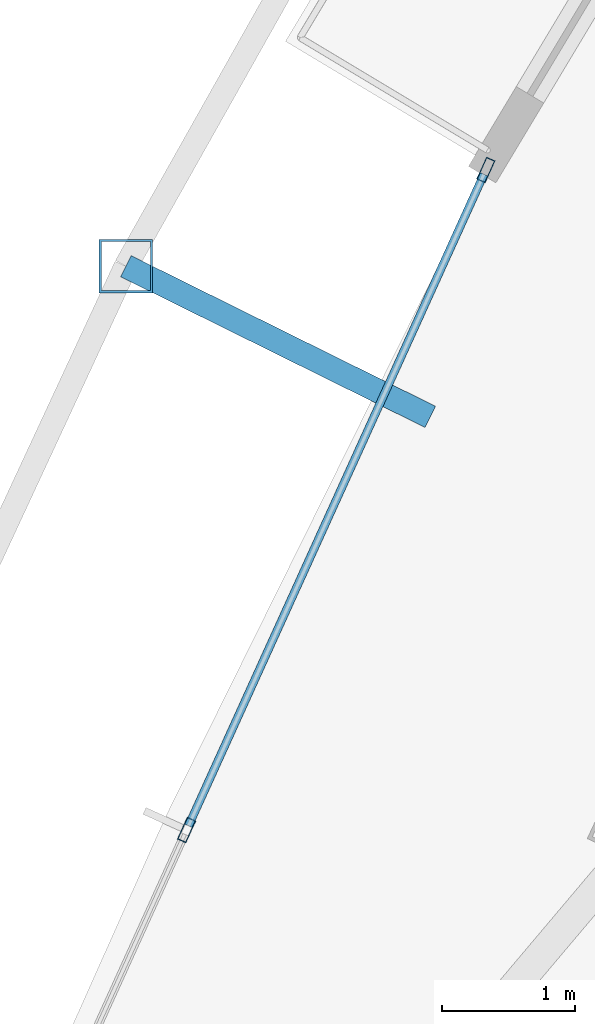
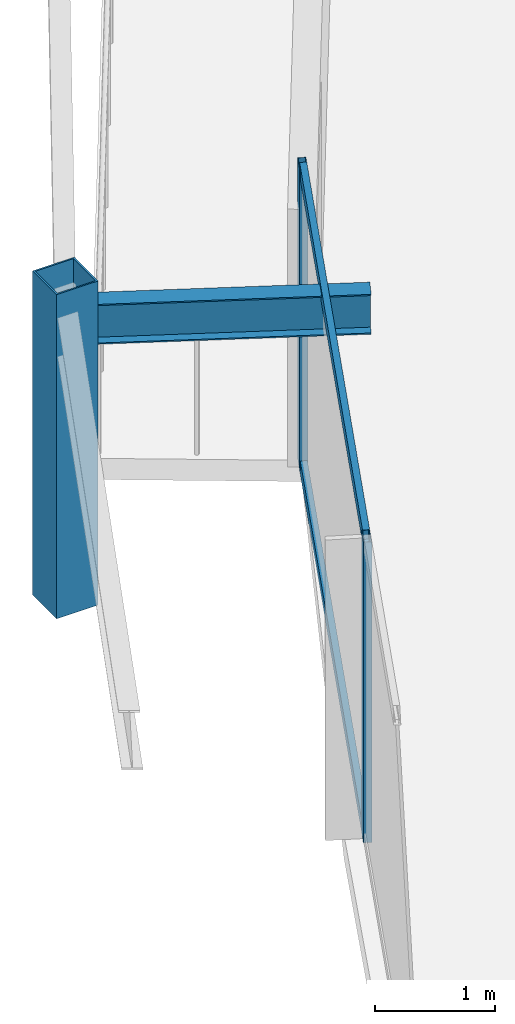
# One storey, part 10 of 29: 5 members, 1 beam, 1 element without a shape of its own.
"""IFC4 building model written with IfcOpenShell, lengths in metres."""

from ifc_helpers import new_model, si_unit, direction, frame, origin, origin_2d, place, context, subcontext, project, spatial, hollow_rectangle, i_section, extrude, material, layer, layer_set, material_profile, profile_set, type_object, element, aggregate, save


model = new_model("IFC4")

# Units and contexts
model_context = context("Model", 3, precision=1e-05, world=origin(), true_north=direction((0.0, 1.0)))
body_context = subcontext(model_context, "Body", "Model", "MODEL_VIEW")
ifc_project = project(units=[si_unit("LENGTHUNIT", "METRE"), si_unit("AREAUNIT", "SQUARE_METRE"), si_unit("VOLUMEUNIT", "CUBIC_METRE"), si_unit("PLANEANGLEUNIT", "RADIAN"), si_unit("MASSUNIT", "GRAM", prefix="KILO")], contexts=[model_context])

# Site, building, storey
site_placement = place(None, origin())
site = spatial("IfcSite", under=ifc_project, at=site_placement, CompositionType="ELEMENT")
building_placement = place(site_placement, origin())
building = spatial("IfcBuilding", under=site, at=building_placement, Name="Orvanel Arch Residences", CompositionType="ELEMENT")
storey_placement = place(building_placement, frame((0.0, 0.0, 163.85009765625)))
storey = spatial("IfcBuildingStorey", under=building, at=storey_placement, Name="L46", CompositionType="ELEMENT", Elevation=163.85009765625)

# Curtain wall, members
ifc_material_1 = material(Name="Bronze-anodised aluminium AA6063-T6", Category="aluminium")
ifc_layer = layer(ifc_material_1, 0.179931640625)
ifc_layer_set = layer_set([ifc_layer], Name="Bronze-anodised aluminium AA6063-T6")
curtain_wall_type = type_object("IfcCurtainWallType", Name="CW3-MID-SYS", PredefinedType="NOTDEFINED", material=ifc_layer_set)
curtain_wall_placement = place(storey_placement, origin())
curtain_wall = element("IfcCurtainWall", 1, at=curtain_wall_placement, inside=storey, type_object=curtain_wall_type, Name="L46 CW3-MID-SYS Unitised Curtain Wall", PredefinedType="NOTDEFINED")
ifc_material_profile_1 = material_profile(ifc_material_1, hollow_rectangle(XDim=0.070068359375, YDim=0.179931640625, WallThickness=0.00439453125, at=origin_2d()), Name="ALU180x70x4.5")
ifc_profile_set_1 = profile_set([ifc_material_profile_1], Name="Bronze-anodised aluminium AA6063-T6")
member_type_1 = type_object("IfcMemberType", Name="MUL-180x70", PredefinedType="MULLION", material=ifc_profile_set_1)
member_1_placement = place(storey_placement, frame((15.04052734375, 24.455078125, 0.0), z_axis=(0.0, 0.0, 1.0), x_axis=(0.910745569556, -0.412967925551, 0.0)))
member_1 = element("IfcMember", 2, at=member_1_placement, type_object=member_type_1, Name="CW-S3 mullion 1", PredefinedType="MULLION", context=body_context, shape_type="SweptSolid", body=[
    extrude(hollow_rectangle(XDim=0.070068359375, YDim=0.179931640625, WallThickness=0.00439453125, at=origin_2d()), origin(), (0.0, 0.0, 1.0), 3.059814453125),
])
member_2_placement = place(storey_placement, frame((12.7939453125, 19.500732421875, 0.0), z_axis=(0.0, 0.0, 1.0), x_axis=(0.910745569556, -0.412967925551, 0.0)))
member_2 = element("IfcMember", 3, at=member_2_placement, type_object=member_type_1, Name="CW-S3 mullion 2", PredefinedType="MULLION", context=body_context, shape_type="SweptSolid", body=[
    extrude(hollow_rectangle(XDim=0.070068359375, YDim=0.179931640625, WallThickness=0.00439453125, at=origin_2d()), origin(), (0.0, 0.0, 1.0), 3.059814453125),
])

# Beam
ifc_material_2 = material(Name="Structural steel AS/NZS 3679.1 Grade 300 (300 MPa)", Category="steel")
ifc_material_profile_2 = material_profile(ifc_material_2, i_section(OverallWidth=0.177978515625, OverallDepth=0.406005859375, WebThickness=0.0078125, FlangeThickness=0.0126953125, at=origin_2d()), Name="410UB59.7")
ifc_profile_set_2 = profile_set([ifc_material_profile_2], Name="Structural steel AS/NZS 3679.1 Grade 300 (300 MPa)")
beam_type = type_object("IfcBeamType", Name="OB-410UB-EXT", PredefinedType="SPANDREL", material=ifc_profile_set_2)
beam_placement = place(storey_placement, frame((14.623046875, 22.60205078125, 2.85693359375), z_axis=(-0.896258111231, 0.443532860173, 0.0), x_axis=(-0.443532860173, -0.896258111231, 0.0)))
element("IfcBeam", 4, at=beam_placement, inside=storey, type_object=beam_type, Name="L46 Outer Frame Radial Tie Beam 03", PredefinedType="SPANDREL", context=body_context, shape_type="SweptSolid", body=[
    extrude(i_section(OverallWidth=0.177978515625, OverallDepth=0.406005859375, WebThickness=0.0078125, FlangeThickness=0.0126953125, at=origin_2d()), origin(), (0.0, 0.0, 1.0), 2.549560546875),
])

# Member
ifc_material_3 = material(Name="Structural steel AS/NZS 1163 C450L0 (Grade 450)", Category="steel")
ifc_material_profile_3 = material_profile(ifc_material_3, hollow_rectangle(XDim=0.39990234375, YDim=0.39990234375, WallThickness=0.01611328125, at=origin_2d()), Name="SHS400x400x16")
ifc_profile_set_3 = profile_set([ifc_material_profile_3], Name="Structural steel AS/NZS 1163 C450L0 (Grade 450)")
member_type_2 = type_object("IfcMemberType", Name="ST-400SHS-EXT", PredefinedType="STRUT", material=ifc_profile_set_3)
member_3_placement = place(storey_placement, frame((12.337890625, 23.73291015625, 0.0), z_axis=(0.0, 0.0, 1.0), x_axis=(1.0, 0.0, 0.0)))
element("IfcMember", 5, at=member_3_placement, inside=storey, type_object=member_type_2, Name="L46 Outer Perimeter Frame Post 03", PredefinedType="STRUT", context=body_context, shape_type="SweptSolid", body=[
    extrude(hollow_rectangle(XDim=0.39990234375, YDim=0.39990234375, WallThickness=0.01611328125, at=origin_2d()), origin(), (0.0, 0.0, 1.0), 3.2998046875),
])

ifc_material_profile_4 = material_profile(ifc_material_1, hollow_rectangle(XDim=0.06005859375, YDim=0.135009765625, WallThickness=0.00390625, at=origin_2d()), Name="ALU135x60x4")
ifc_profile_set_4 = profile_set([ifc_material_profile_4], Name="Bronze-anodised aluminium AA6063-T6")
member_type_3 = type_object("IfcMemberType", Name="TRN-135x60", PredefinedType="USERDEFINED", material=ifc_profile_set_4)
member_4_placement = place(storey_placement, frame((15.026123046875, 24.42333984375, 0.02978515625), z_axis=(-0.41297729539, -0.910741320844, 0.0), x_axis=(0.910741320844, -0.41297729539, 0.0)))
member_4 = element("IfcMember", 6, at=member_4_placement, type_object=member_type_3, Name="CW-S3 transom 1.1", ObjectType="TRANSOM", PredefinedType="USERDEFINED", context=body_context, shape_type="SweptSolid", body=[
    extrude(hollow_rectangle(XDim=0.06005859375, YDim=0.135009765625, WallThickness=0.00390625, at=origin_2d()), origin(), (0.0, 0.0, 1.0), 5.3701171875),
])

member_5_placement = place(storey_placement, frame((15.026123046875, 24.42333984375, 3.02978515625), z_axis=(-0.41297729539, -0.910741320844, 0.0), x_axis=(0.910741320844, -0.41297729539, 0.0)))
member_5 = element("IfcMember", 7, at=member_5_placement, type_object=member_type_3, Name="CW-S3 transom 1.2", ObjectType="TRANSOM", PredefinedType="USERDEFINED", context=body_context, shape_type="SweptSolid", body=[
    extrude(hollow_rectangle(XDim=0.06005859375, YDim=0.135009765625, WallThickness=0.00390625, at=origin_2d()), origin(), (0.0, 0.0, 1.0), 5.3701171875),
])

aggregate(curtain_wall, [member_1, member_2, member_4, member_5])

save(model, "model.ifc")
